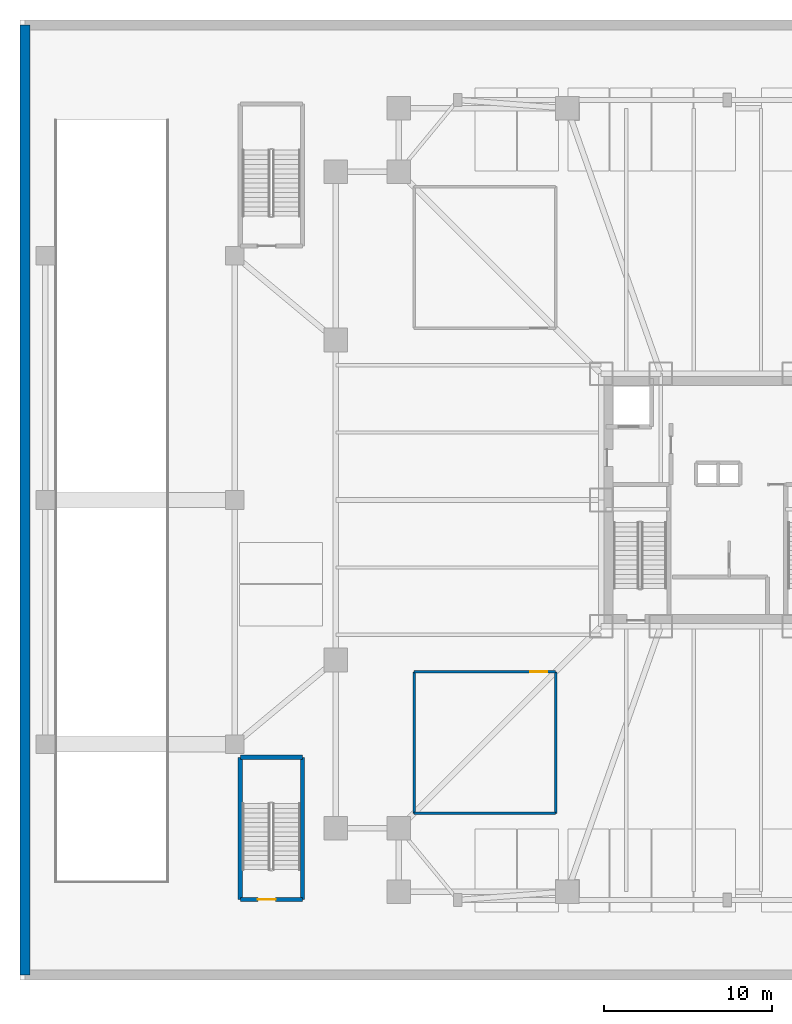
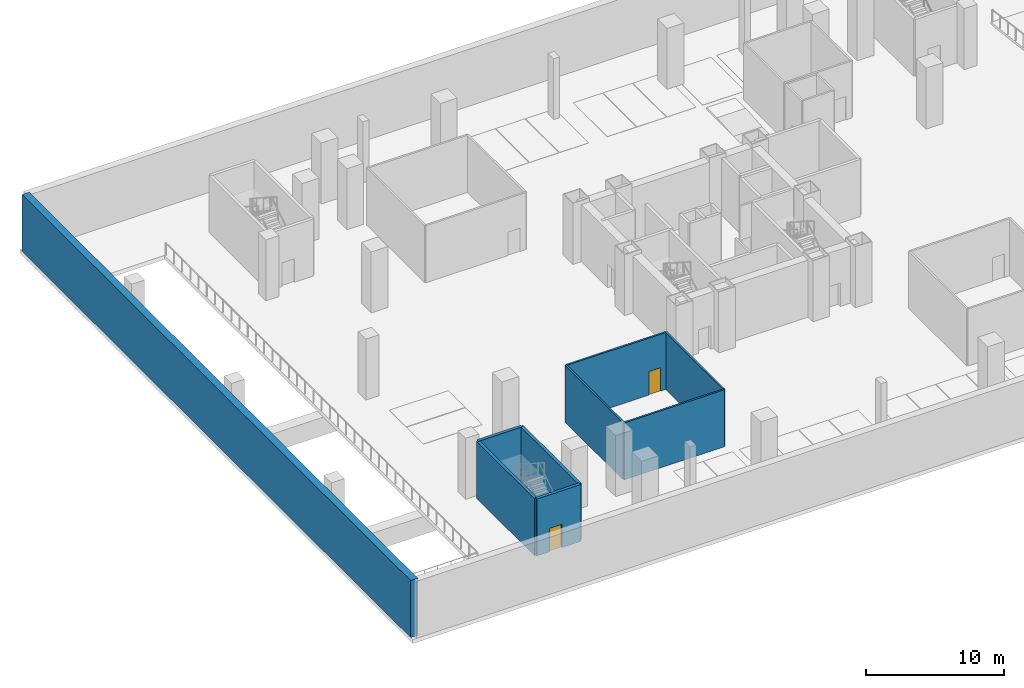
# One storey, part 3 of 14: 9 walls, 2 doors, 2 openings.
"""IFC4 building model written with IfcOpenShell, lengths in metres."""

import ifcopenshell
import ifcopenshell.guid

model = None  # the IFC model being written
_history = None  # IfcOwnerHistory: only IFC2X3 demands one
_inside = {}  # id of a spatial element -> (the spatial element, [elements in it])
_under = {}  # id of a project, library or spatial element -> (it, [spatial elements below it])
_declared = {}  # id of a project -> (the project, [libraries it declares])
_typed = {}  # id of a type object -> (the type object, [elements of that type])
_made_of = {}  # id of a material, layer set ... -> (it, [elements and type objects made of it])


def new_model(schema):
    """Start an empty IFC model of exactly this schema.

    Asked for "IFC4X3", IfcOpenShell would pick the latest addendum, in which some entities
    have other attributes; the version numbers below select the first issue.
    IFC2X3 requires an IfcOwnerHistory on every rooted entity: one is made here for all.
    """
    global model, _history
    if schema == "IFC4X3":
        model = ifcopenshell.file(schema_version=(4, 3, 0, 0))
    else:
        model = ifcopenshell.file(schema=schema)
    _inside.clear()
    _under.clear()
    _declared.clear()
    _typed.clear()
    _made_of.clear()
    _history = None
    if model.schema == "IFC2X3":
        org = make("IfcOrganization", Name="unknown")
        user = make(
            "IfcPersonAndOrganization",
            ThePerson=make("IfcPerson", FamilyName="unknown"),
            TheOrganization=org,
        )
        app = make(
            "IfcApplication",
            ApplicationDeveloper=org,
            Version="unknown",
            ApplicationFullName="unknown",
            ApplicationIdentifier="unknown",
        )
        _history = make(
            "IfcOwnerHistory",
            OwningUser=user,
            OwningApplication=app,
            ChangeAction="ADDED",
            CreationDate=0,
        )
    return model


def make(cls, **values):
    """One entity of the class cls with the attributes given. An attribute that is None is left unset."""
    return model.create_entity(
        cls, **{name: value for name, value in values.items() if value is not None}
    )


def rooted(cls, **values):
    """An entity with a GlobalId (a new one), such as an element, a storey or a relation."""
    return make(cls, GlobalId=ifcopenshell.guid.new(), OwnerHistory=_history, **values)


def si_unit(unit_type, name, prefix=None):
    """IfcSIUnit, for example si_unit("LENGTHUNIT", "METRE", prefix="MILLI")."""
    return make("IfcSIUnit", UnitType=unit_type, Prefix=prefix, Name=name)


def assignment(units):
    """IfcUnitAssignment: the units of a project."""
    return None if units is None else make("IfcUnitAssignment", Units=units)


def point(xyz):
    """IfcCartesianPoint."""
    return None if xyz is None else make("IfcCartesianPoint", Coordinates=xyz)


def direction(xyz):
    """IfcDirection."""
    return None if xyz is None else make("IfcDirection", DirectionRatios=xyz)


def frame(location, z_axis=None, x_axis=None):
    """IfcAxis2Placement3D, a coordinate frame: its origin and axes. An axis left out is left unset."""
    return make(
        "IfcAxis2Placement3D",
        Location=point(location),
        Axis=direction(z_axis),
        RefDirection=direction(x_axis),
    )


def frame_2d(location, x_axis=None):
    """IfcAxis2Placement2D, a coordinate frame in the plane: its origin and x axis."""
    return make(
        "IfcAxis2Placement2D", Location=point(location), RefDirection=direction(x_axis)
    )


def origin():
    """The frame at (0, 0, 0) with its axes left unset."""
    return frame((0.0, 0.0, 0.0))


def place(relative_to, where):
    """IfcLocalPlacement: puts the frame where relative to a parent placement (None: the world)."""
    return make(
        "IfcLocalPlacement", PlacementRelTo=relative_to, RelativePlacement=where
    )


def context(
    kind, dimensions, precision=None, world=None, true_north=None, identifier=None
):
    """IfcGeometricRepresentationContext, for example the 3D "Model" context."""
    return make(
        "IfcGeometricRepresentationContext",
        ContextIdentifier=identifier,
        ContextType=kind,
        CoordinateSpaceDimension=dimensions,
        Precision=precision,
        WorldCoordinateSystem=world,
        TrueNorth=true_north,
    )


def subcontext(parent, identifier, kind, view, scale=None):
    """IfcGeometricRepresentationSubContext, for example "Body" below "Model"."""
    return make(
        "IfcGeometricRepresentationSubContext",
        ContextIdentifier=identifier,
        ContextType=kind,
        ParentContext=parent,
        TargetScale=scale,
        TargetView=view,
    )


def project(units=None, contexts=None):
    """IfcProject with its units and contexts."""
    return rooted(
        "IfcProject",
        Name="project",
        RepresentationContexts=contexts,
        UnitsInContext=assignment(units),
    )


def spatial(cls, under=None, at=None, **own):
    """A site, building, storey or space (cls), placed at a placement, below another one or the project."""
    s = rooted(cls, ObjectPlacement=at, **own)
    if under is not None:
        _under.setdefault(under.id(), (under, []))[1].append(s)
    return s


def profile(cls, at=None, kind="AREA", **sizes):
    """A parametric profile (cls). Its sizes go by their IFC names, for example OverallWidth=200.0."""
    return make(cls, ProfileType=kind, Position=at, **sizes)


def rectangle(**sizes):
    """IfcRectangleProfileDef."""
    return profile("IfcRectangleProfileDef", **sizes)


def extrude(swept, where, along, depth):
    """IfcExtrudedAreaSolid: the profile swept, set in the frame where, extruded along a direction by depth."""
    return make(
        "IfcExtrudedAreaSolid",
        SweptArea=swept,
        Position=where,
        ExtrudedDirection=direction(along),
        Depth=depth,
    )


def shape(context_of_items, identifier, shape_type, items):
    """IfcShapeRepresentation: the items that make up one representation, for example the "Body"."""
    return make(
        "IfcShapeRepresentation",
        ContextOfItems=context_of_items,
        RepresentationIdentifier=identifier,
        RepresentationType=shape_type,
        Items=items,
    )


def material(Name=None, Category=None):
    """IfcMaterial."""
    return make("IfcMaterial", Name=Name, Category=Category)


def layer(
    of_material, thickness, ventilated=None, Name=None, Category=None, Priority=None
):
    """IfcMaterialLayer: one layer of a wall or slab, of a material (None: an air gap)."""
    return make(
        "IfcMaterialLayer",
        Material=of_material,
        LayerThickness=thickness,
        IsVentilated=ventilated,
        Name=Name,
        Category=Category,
        Priority=Priority,
    )


def layer_set(layers, Name=None):
    """IfcMaterialLayerSet."""
    return make("IfcMaterialLayerSet", MaterialLayers=layers, LayerSetName=Name)


def made_of(thing, what):
    """Note that an element or type object is made of a material, layer set ...; save() writes the relation."""
    if what is not None:
        _made_of.setdefault(what.id(), (what, []))[1].append(thing)
    return thing


def type_object(cls, material=None, **own):
    """A type object (cls), such as IfcWallType, which elements share."""
    return made_of(rooted(cls, **own), material)


def element(
    cls,
    number,
    at=None,
    inside=None,
    cuts=None,
    type_object=None,
    material=None,
    context=None,
    identifier="Body",
    shape_type=None,
    held_by="IfcProductDefinitionShape",
    body=None,
    shapes=None,
    **own,
):
    """One element of the class cls, such as IfcWall. Its Tag is "e" and its number.

    at: its placement. inside: the storey or other place that contains it. cuts: it is an
    opening in that element (IfcRelVoidsElement). A single representation is given by context,
    identifier, shape_type and body (its items); several are given by shapes. held_by: the class
    of the entity that holds the representations. save() writes the other relations.
    """
    e = rooted(cls, Tag="e%d" % number, ObjectPlacement=at, **own)
    if body is not None:
        shapes = [shape(context, identifier, shape_type, body)]
    if shapes is not None:
        e.Representation = make(held_by, Representations=shapes)
    if inside is not None:
        _inside.setdefault(inside.id(), (inside, []))[1].append(e)
    if cuts is not None:
        rooted(
            "IfcRelVoidsElement", RelatingBuildingElement=cuts, RelatedOpeningElement=e
        )
    if type_object is not None:
        _typed.setdefault(type_object.id(), (type_object, []))[1].append(e)
    return made_of(e, material)


def fill(opening, filler):
    """IfcRelFillsElement: the door or window that sits in an opening."""
    return rooted(
        "IfcRelFillsElement",
        RelatingOpeningElement=opening,
        RelatedBuildingElement=filler,
    )


def aggregate(whole, parts):
    """IfcRelAggregates: a whole, such as a stair, and the parts it consists of."""
    return rooted("IfcRelAggregates", RelatingObject=whole, RelatedObjects=parts)


def save(model, path):
    """Write the relations noted so far, then the file.

    IfcRelAggregates (storeys below a building ...), IfcRelContainedInSpatialStructure (elements
    in a storey), IfcRelDefinesByType, IfcRelAssociatesMaterial and IfcRelDeclares: one each for
    every whole, place, type object, material and project.
    """
    for whole, parts in _under.values():
        aggregate(whole, parts)
    for where, things in _inside.values():
        rooted(
            "IfcRelContainedInSpatialStructure",
            RelatedElements=things,
            RelatingStructure=where,
        )
    for kind, things in _typed.values():
        rooted("IfcRelDefinesByType", RelatedObjects=things, RelatingType=kind)
    for what, things in _made_of.values():
        rooted("IfcRelAssociatesMaterial", RelatedObjects=things, RelatingMaterial=what)
    for by, libraries in _declared.values():
        rooted("IfcRelDeclares", RelatingContext=by, RelatedDefinitions=libraries)
    model.write(path)


model = new_model("IFC4")

# Units and contexts
model_context = context("Model", 3, precision=1e-05, world=origin(), true_north=direction((0.0, 1.0)))
body_context = subcontext(model_context, "Body", "Model", "MODEL_VIEW")
ifc_project = project(units=[si_unit("LENGTHUNIT", "METRE"), si_unit("AREAUNIT", "SQUARE_METRE"), si_unit("VOLUMEUNIT", "CUBIC_METRE"), si_unit("PLANEANGLEUNIT", "RADIAN"), si_unit("MASSUNIT", "GRAM", prefix="KILO")], contexts=[model_context])

# Site, building, storey
site_placement = place(None, origin())
site = spatial("IfcSite", under=ifc_project, at=site_placement, CompositionType="ELEMENT")
building_placement = place(site_placement, origin())
building = spatial("IfcBuilding", under=site, at=building_placement, Name="Trevonay Congress Spire", CompositionType="ELEMENT")
storey_placement = place(building_placement, frame((0.0, 0.0, -5.39990234375)))
storey = spatial("IfcBuildingStorey", under=building, at=storey_placement, Name="B1", CompositionType="ELEMENT", Elevation=-5.39990234375)

# Wall
ifc_material_1 = material(Name="Concrete C40/50", Category="concrete")
ifc_layer_1 = layer(ifc_material_1, 0.14990234375, Name="Concrete C40/50")
ifc_layer_set_1 = layer_set([ifc_layer_1], Name="Concrete C40/50")
wall_type_1 = type_object("IfcWallType", Name="WAL-PART-150", PredefinedType="PARTITIONING", material=ifc_layer_set_1)
wall_1_placement = place(storey_placement, frame((-18.60009765625, -18.60009765625, 0.0), z_axis=(0.0, 0.0, 1.0), x_axis=(1.0, 0.0, 0.0)))
element("IfcWall", 1, at=wall_1_placement, inside=storey, type_object=wall_type_1, Name="B1 interior wall WB-B102-S", PredefinedType="PARTITIONING", context=body_context, shape_type="SweptSolid", body=[
    extrude(rectangle(XDim=8.400146484375, YDim=0.14990234375, at=frame_2d((4.2001953125, 0.0))), origin(), (0.0, 0.0, 1.0), 5.0498046875),
])

# Wall, opening, door
wall_2_placement = place(storey_placement, frame((-18.60009765625, -10.199951171875, 0.0), z_axis=(0.0, 0.0, 1.0), x_axis=(1.0, 0.0, 0.0)))
wall_2 = element("IfcWall", 2, at=wall_2_placement, inside=storey, type_object=wall_type_1, Name="B1 interior wall WB-B102-N", PredefinedType="PARTITIONING", context=body_context, shape_type="SweptSolid", body=[
    extrude(rectangle(XDim=8.400146484375, YDim=0.14990234375, at=frame_2d((4.2001953125, 0.0))), origin(), (0.0, 0.0, 1.0), 5.0498046875),
])
opening_1_placement = place(wall_2_placement, frame((6.89990234375, 0.0, 0.0)))
opening_1 = element("IfcOpeningElement", 3, at=opening_1_placement, cuts=wall_2, Name="Opening D06", PredefinedType="OPENING", context=body_context, shape_type="SweptSolid", body=[
    extrude(rectangle(XDim=1.0, YDim=2.080078125, at=frame_2d((0.5, 1.0400390625))), frame((0.0, 0.0849609375, 0.0), z_axis=(0.0, -1.0, 0.0), x_axis=(1.0, 0.0, 0.0)), (0.0, 0.0, 1.0), 0.169921875),
])
ifc_material_2 = material(Name="Steel ASTM A572 Grade 50", Category="steel")
door_type_1 = type_object("IfcDoorType", Name="DOR-FIRE-100", OperationType="NOTDEFINED", PredefinedType="DOOR", material=ifc_material_2)
door_1_placement = place(opening_1_placement, origin())
door_1 = element("IfcDoor", 4, at=door_1_placement, inside=storey, type_object=door_type_1, Name="B1 Secure Cycle Store Door", OperationType="SINGLE_SWING_RIGHT", OverallHeight=2.080078125, OverallWidth=1.0, PredefinedType="DOOR", context=body_context, shape_type="SweptSolid", body=[
    extrude(rectangle(XDim=1.0, YDim=2.080078125, at=frame_2d((0.5, 1.0400390625))), frame((0.0, 0.02490234375, 0.0), z_axis=(0.0, -1.0, 0.0), x_axis=(1.0, 0.0, 0.0)), (0.0, 0.0, 1.0), 0.050048828125),
])
fill(opening_1, door_1)

# Walls
for number, where, z_axis, x_axis, name in (
    (5, (-18.60009765625, -18.60009765625, 0.0), (0.0, 0.0, 1.0), (0.0, 1.0, 0.0), "B1 interior wall WB-B102-W"),
    (6, (-10.199951171875, -18.60009765625, 0.0), (0.0, 0.0, 1.0), (0.0, 1.0, 0.0), "B1 interior wall WB-B102-E"),
):
    element("IfcWall", number, at=place(storey_placement, frame(where, z_axis=z_axis, x_axis=x_axis)), inside=storey, type_object=wall_type_1, Name=name, PredefinedType="PARTITIONING", context=body_context, shape_type="SweptSolid", body=[
        extrude(rectangle(XDim=8.400146484375, YDim=0.14990234375, at=frame_2d((4.2001953125, 0.0))), origin(), (0.0, 0.0, 1.0), 5.0498046875),
    ])
ifc_material_3 = material(Name="Concrete C50/60", Category="concrete")
ifc_layer_2 = layer(ifc_material_3, 0.60009765625, Name="Concrete C50/60")
ifc_layer_set_2 = layer_set([ifc_layer_2], Name="Concrete C50/60")
wall_type_2 = type_object("IfcWallType", Name="WAL-RETAIN-600", PredefinedType="USERDEFINED", material=ifc_layer_set_2)
wall_3_placement = place(storey_placement, frame((-41.699951171875, 28.199951171875, 0.0), z_axis=(0.0, 0.0, 1.0), x_axis=(0.0, -1.0, 0.0)))
element("IfcWall", 7, at=wall_3_placement, inside=storey, type_object=wall_type_2, Name="B1 W perimeter concrete diaphragm retaining wall", ObjectType="RETAININGWALL", PredefinedType="USERDEFINED", context=body_context, shape_type="SweptSolid", body=[
    extrude(rectangle(XDim=56.39990234375, YDim=0.60009765625, at=frame_2d((28.199951171875, 0.0))), origin(), (0.0, 0.0, 1.0), 5.0498046875),
])

# Wall, opening, door
ifc_layer_3 = layer(ifc_material_1, 0.25, Name="Concrete C40/50")
ifc_layer_set_3 = layer_set([ifc_layer_3], Name="Concrete C40/50")
wall_type_3 = type_object("IfcWallType", Name="WAL-SHAFT-LB-250", PredefinedType="SHEAR", material=ifc_layer_set_3)
wall_4_placement = place(storey_placement, frame((-28.919921875, -23.719970703125, 0.0), z_axis=(0.0, 0.0, 1.0), x_axis=(1.0, 0.0, 0.0)))
wall_4 = element("IfcWall", 8, at=wall_4_placement, inside=storey, type_object=wall_type_3, Name="B1 interior shaft wall WSH-B1-ST-3-S", PredefinedType="SHEAR", context=body_context, shape_type="SweptSolid", body=[
    extrude(rectangle(XDim=3.68994140625, YDim=0.25, at=frame_2d((1.844970703125, 0.0))), origin(), (0.0, 0.0, 1.0), 5.0498046875),
])
opening_2_placement = place(wall_4_placement, frame((1.050048828125, 0.0, 0.0)))
opening_2 = element("IfcOpeningElement", 9, at=opening_2_placement, cuts=wall_4, Name="Opening D05", PredefinedType="OPENING", context=body_context, shape_type="SweptSolid", body=[
    extrude(rectangle(XDim=1.050048828125, YDim=2.080078125, at=frame_2d((0.52490234375, 1.0400390625))), frame((0.0, 0.135009765625, 0.0), z_axis=(0.0, -1.0, 0.0), x_axis=(1.0, 0.0, 0.0)), (0.0, 0.0, 1.0), 0.27001953125),
])
door_type_2 = type_object("IfcDoorType", Name="DOR-STAIR-110", OperationType="NOTDEFINED", PredefinedType="DOOR", material=ifc_material_2)
door_2_placement = place(opening_2_placement, origin())
door_2 = element("IfcDoor", 10, at=door_2_placement, inside=storey, type_object=door_type_2, Name="B1 Escape Stair ST-3 Door", OperationType="SINGLE_SWING_RIGHT", OverallHeight=2.080078125, OverallWidth=1.050048828125, PredefinedType="DOOR", context=body_context, shape_type="SweptSolid", body=[
    extrude(rectangle(XDim=1.050048828125, YDim=2.080078125, at=frame_2d((0.52490234375, 1.0400390625))), frame((0.0, 0.02490234375, 0.0), z_axis=(0.0, -1.0, 0.0), x_axis=(1.0, 0.0, 0.0)), (0.0, 0.0, 1.0), 0.050048828125),
])
fill(opening_2, door_2)

# Walls
wall_5_placement = place(storey_placement, frame((-28.919921875, -15.280029296875, 0.0), z_axis=(0.0, 0.0, 1.0), x_axis=(1.0, 0.0, 0.0)))
element("IfcWall", 11, at=wall_5_placement, inside=storey, type_object=wall_type_3, Name="B1 interior shaft wall WSH-B1-ST-3-N", PredefinedType="SHEAR", context=body_context, shape_type="SweptSolid", body=[
    extrude(rectangle(XDim=3.68994140625, YDim=0.25, at=frame_2d((1.844970703125, 0.0))), origin(), (0.0, 0.0, 1.0), 5.0498046875),
])
for number, where, z_axis, x_axis, name in (
    (12, (-28.919921875, -23.719970703125, 0.0), (0.0, 0.0, 1.0), (0.0, 1.0, 0.0), "B1 interior shaft wall WSH-B1-ST-3-W"),
    (13, (-25.22998046875, -23.719970703125, 0.0), (0.0, 0.0, 1.0), (0.0, 1.0, 0.0), "B1 interior shaft wall WSH-B1-ST-3-E"),
):
    element("IfcWall", number, at=place(storey_placement, frame(where, z_axis=z_axis, x_axis=x_axis)), inside=storey, type_object=wall_type_3, Name=name, PredefinedType="SHEAR", context=body_context, shape_type="SweptSolid", body=[
        extrude(rectangle(XDim=8.43994140625, YDim=0.25, at=frame_2d((4.219970703125, 0.0))), origin(), (0.0, 0.0, 1.0), 5.0498046875),
    ])

save(model, "model.ifc")
